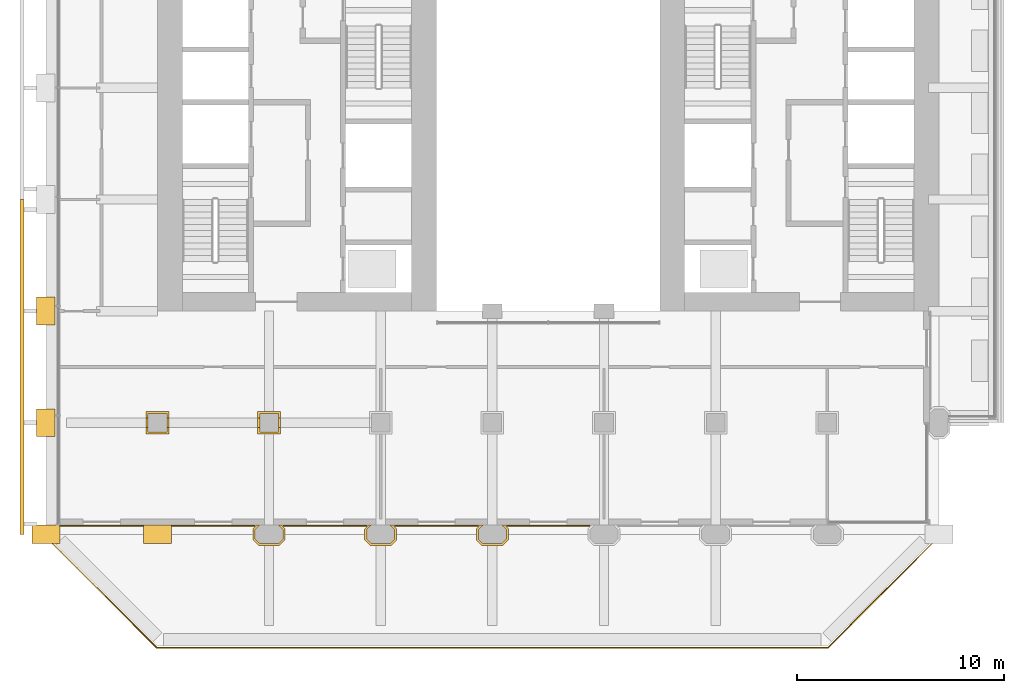
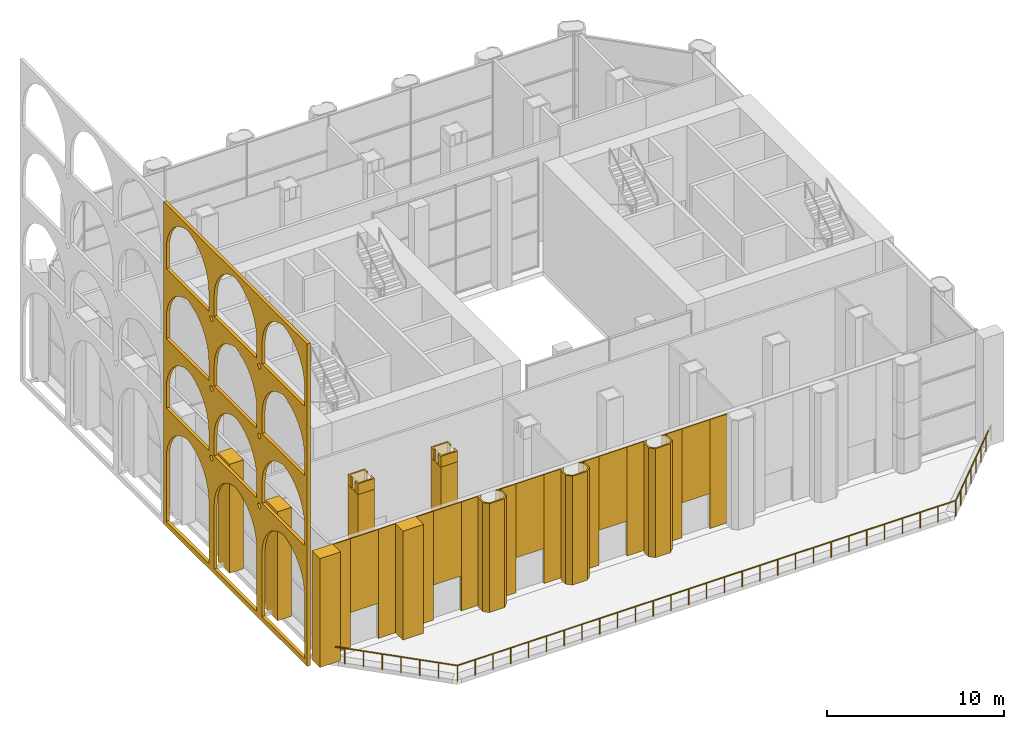
# One storey, part 13 of 20: 29 coverings, 1 railing.
"""IFC4 building model written with IfcOpenShell, lengths in metres."""

from ifc_helpers import new_model, si_unit, direction, frame, frame_2d, origin, origin_2d, place, context, subcontext, project, spatial, polyline, rectangle, circle, outline, extrude, material, layer, layer_set, type_object, element, save


model = new_model("IFC4")

# Units and contexts
model_context = context("Model", 3, precision=1e-05, world=origin(), true_north=direction((0.0, 1.0)))
body_context = subcontext(model_context, "Body", "Model", "MODEL_VIEW")
ifc_project = project(units=[si_unit("LENGTHUNIT", "METRE"), si_unit("AREAUNIT", "SQUARE_METRE"), si_unit("VOLUMEUNIT", "CUBIC_METRE"), si_unit("PLANEANGLEUNIT", "RADIAN"), si_unit("MASSUNIT", "GRAM", prefix="KILO")], contexts=[model_context])

# Site, building, storey
site_placement = place(None, origin())
site = spatial("IfcSite", under=ifc_project, at=site_placement, CompositionType="ELEMENT")
building_placement = place(site_placement, origin())
building = spatial("IfcBuilding", under=site, at=building_placement, Name="Tabaq Tower and Sports Hall", CompositionType="ELEMENT")
storey_placement = place(building_placement, frame((0.0, 0.0, 130.60009765625)))
storey = spatial("IfcBuildingStorey", under=building, at=storey_placement, Name="L31", CompositionType="ELEMENT", Elevation=130.60009765625)

# Coverings
ifc_material_1 = material(Name="Precast concrete C60/75", Category="concrete")
ifc_layer_1 = layer(ifc_material_1, 0.10009765625)
ifc_layer_set_1 = layer_set([ifc_layer_1], Name="Column cladding 100")
covering_type_1 = type_object("IfcCoveringType", Name="Column cladding 100", PredefinedType="CLADDING", material=ifc_layer_set_1)
covering_1_placement = place(storey_placement, origin())
element("IfcCovering", 1, at=covering_1_placement, inside=storey, type_object=covering_type_1, Name="Column cladding L31 CC-2C-S1", PredefinedType="CLADDING", context=body_context, shape_type="SweptSolid", body=[
    extrude(outline(polyline([(4.850341796875, 11.349609375), (5.94970703125, 11.349609375), (5.94970703125, 10.250244140625), (4.850341796875, 10.250244140625), (4.850341796875, 11.349609375)]), holes=[polyline([(5.850341796875, 10.349609375), (5.850341796875, 11.250244140625), (4.94970703125, 11.250244140625), (4.94970703125, 10.349609375), (5.850341796875, 10.349609375)])]), origin(), (0.0, 0.0, 1.0), 6.75),
])
covering_2_placement = place(storey_placement, frame((0.0, 0.0, 6.75)))
element("IfcCovering", 2, at=covering_2_placement, inside=storey, type_object=covering_type_1, Name="Column cladding L31 CC-2C-S1 head", PredefinedType="CLADDING", context=body_context, shape_type="SweptSolid", body=[
    extrude(outline(polyline([(5.94970703125, 10.250244140625), (4.850341796875, 10.250244140625), (4.850341796875, 10.57470703125), (4.94970703125, 10.57470703125), (4.94970703125, 10.349609375), (5.850341796875, 10.349609375), (5.850341796875, 10.57470703125), (5.94970703125, 10.57470703125), (5.94970703125, 10.250244140625)])), origin(), (0.0, 0.0, 1.0), 0.75),
])
covering_3_placement = place(storey_placement, frame((0.0, 0.0, 6.75)))
element("IfcCovering", 3, at=covering_3_placement, inside=storey, type_object=covering_type_1, Name="Column cladding L31 CC-2C-S1 head 2", PredefinedType="CLADDING", context=body_context, shape_type="SweptSolid", body=[
    extrude(outline(polyline([(5.94970703125, 11.349609375), (5.94970703125, 11.025390625), (5.850341796875, 11.025390625), (5.850341796875, 11.250244140625), (4.94970703125, 11.250244140625), (4.94970703125, 11.025390625), (4.850341796875, 11.025390625), (4.850341796875, 11.349609375), (5.94970703125, 11.349609375)])), origin(), (0.0, 0.0, 1.0), 0.75),
])
covering_4_placement = place(storey_placement, origin())
element("IfcCovering", 4, at=covering_4_placement, inside=storey, type_object=covering_type_1, Name="Column cladding L31 PC-3B-S1", PredefinedType="CLADDING", context=body_context, shape_type="SweptSolid", body=[
    extrude(outline(polyline([(10.025390625, 5.666259765625), (10.208740234375, 5.849609375), (10.349365234375, 5.849609375), (10.124755859375, 5.625244140625), (10.124755859375, 5.1748046875), (10.349853515625, 4.94970703125), (11.250244140625, 4.94970703125), (11.475341796875, 5.1748046875), (11.475341796875, 5.625244140625), (11.250732421875, 5.849609375), (11.391357421875, 5.849609375), (11.57470703125, 5.666259765625), (11.57470703125, 5.1337890625), (11.291259765625, 4.850341796875), (10.30859375, 4.850341796875), (10.025390625, 5.1337890625), (10.025390625, 5.666259765625)])), origin(), (0.0, 0.0, 1.0), 7.5),
])
covering_5_placement = place(storey_placement, origin())
element("IfcCovering", 5, at=covering_5_placement, inside=storey, type_object=covering_type_1, Name="Column cladding L31 CC-3C-S1", PredefinedType="CLADDING", context=body_context, shape_type="SweptSolid", body=[
    extrude(outline(polyline([(10.250244140625, 11.349609375), (11.349609375, 11.349609375), (11.349609375, 10.250244140625), (10.250244140625, 10.250244140625), (10.250244140625, 11.349609375)]), holes=[polyline([(11.250244140625, 10.349609375), (11.250244140625, 11.250244140625), (10.349609375, 11.250244140625), (10.349609375, 10.349609375), (11.250244140625, 10.349609375)])]), origin(), (0.0, 0.0, 1.0), 6.75),
])
covering_6_placement = place(storey_placement, frame((0.0, 0.0, 6.75)))
element("IfcCovering", 6, at=covering_6_placement, inside=storey, type_object=covering_type_1, Name="Column cladding L31 CC-3C-S1 head", PredefinedType="CLADDING", context=body_context, shape_type="SweptSolid", body=[
    extrude(outline(polyline([(10.349365234375, 10.574462890625), (10.349365234375, 10.349365234375), (11.25048828125, 10.349365234375), (11.25048828125, 10.574462890625), (11.349365234375, 10.574462890625), (11.349365234375, 10.25048828125), (10.25048828125, 10.25048828125), (10.25048828125, 10.574462890625), (10.349365234375, 10.574462890625)])), origin(), (0.0, 0.0, 1.0), 0.75),
])
covering_7_placement = place(storey_placement, frame((0.0, 0.0, 6.75)))
element("IfcCovering", 7, at=covering_7_placement, inside=storey, type_object=covering_type_1, Name="Column cladding L31 CC-3C-S1 head 2", PredefinedType="CLADDING", context=body_context, shape_type="SweptSolid", body=[
    extrude(outline(polyline([(10.349365234375, 11.025634765625), (10.25048828125, 11.025634765625), (10.25048828125, 11.349365234375), (11.349365234375, 11.349365234375), (11.349365234375, 11.025634765625), (11.25048828125, 11.025634765625), (11.25048828125, 11.25048828125), (10.349365234375, 11.25048828125), (10.349365234375, 11.025634765625)])), origin(), (0.0, 0.0, 1.0), 0.75),
])
covering_8_placement = place(storey_placement, origin())
element("IfcCovering", 8, at=covering_8_placement, inside=storey, type_object=covering_type_1, Name="Column cladding L31 PC-4B-S1", PredefinedType="CLADDING", context=body_context, shape_type="SweptSolid", body=[
    extrude(outline(polyline([(15.42529296875, 5.666259765625), (15.608642578125, 5.849609375), (15.749267578125, 5.849609375), (15.524658203125, 5.625244140625), (15.524658203125, 5.1748046875), (15.749755859375, 4.94970703125), (16.650146484375, 4.94970703125), (16.875244140625, 5.1748046875), (16.875244140625, 5.625244140625), (16.650634765625, 5.849609375), (16.791259765625, 5.849609375), (16.974609375, 5.666259765625), (16.974609375, 5.1337890625), (16.69140625, 4.850341796875), (15.708740234375, 4.850341796875), (15.42529296875, 5.1337890625), (15.42529296875, 5.666259765625)])), origin(), (0.0, 0.0, 1.0), 7.5),
])
covering_9_placement = place(storey_placement, origin())
element("IfcCovering", 9, at=covering_9_placement, inside=storey, type_object=covering_type_1, Name="Column cladding L31 PC-5B-S1", PredefinedType="CLADDING", context=body_context, shape_type="SweptSolid", body=[
    extrude(outline(polyline([(20.8251953125, 5.666259765625), (21.0087890625, 5.849609375), (21.149169921875, 5.849609375), (20.9248046875, 5.625244140625), (20.9248046875, 5.1748046875), (21.14990234375, 4.94970703125), (22.050048828125, 4.94970703125), (22.275390625, 5.1748046875), (22.275390625, 5.625244140625), (22.05078125, 5.849609375), (22.19140625, 5.849609375), (22.374755859375, 5.666259765625), (22.374755859375, 5.1337890625), (22.09130859375, 4.850341796875), (21.108642578125, 4.850341796875), (20.8251953125, 5.1337890625), (20.8251953125, 5.666259765625)])), origin(), (0.0, 0.0, 1.0), 7.5),
])

# Railing
ifc_material_2 = material(Name="Stainless steel S316 and laminated glass", Category="steel")
railing_type = type_object("IfcRailingType", Name="Guard 1100 steel and glass", PredefinedType="GUARDRAIL", material=ifc_material_2)
railing_placement = place(storey_placement, frame((43.256591796875, 5.343505859375, 0.0)))
element("IfcRailing", 10, at=railing_placement, inside=storey, type_object=railing_type, Name="Terrace guard L31", PredefinedType="GUARDRAIL", context=body_context, shape_type="SweptSolid", body=[
    extrude(circle(Radius=0.02490234375, at=origin_2d()), frame((0.0, 0.0, 1.0751953125), z_axis=(-0.707090865574, -0.707122696441, 0.0), x_axis=(0.707122696441, -0.707090865574, 0.0)), (0.0, 0.0, 1.0), 7.669921875),
    extrude(circle(Radius=0.02490234375, at=origin_2d()), frame((-5.42333984375, -5.423583984375, 1.0751953125), z_axis=(-1.0, 0.0, 0.0), x_axis=(0.0, -1.0, 0.0)), (0.0, 0.0, 1.0), 32.46630859375),
    extrude(circle(Radius=0.02490234375, at=origin_2d()), frame((-37.8896484375, -5.423583984375, 1.0751953125), z_axis=(-0.707106781187, 0.707106781187, 0.0), x_axis=(-0.707106781187, -0.707106781187, 0.0)), (0.0, 0.0, 1.0), 7.670166015625),
    extrude(circle(Radius=0.02001953125, at=origin_2d()), origin(), (0.0, 0.0, 1.0), 1.050048828125),
    extrude(circle(Radius=0.02001953125, at=origin_2d()), frame((-0.774658203125, -0.77490234375, 0.0)), (0.0, 0.0, 1.0), 1.050048828125),
    extrude(circle(Radius=0.02001953125, at=origin_2d()), frame((-1.549560546875, -1.549560546875, 0.0)), (0.0, 0.0, 1.0), 1.050048828125),
    extrude(circle(Radius=0.02001953125, at=origin_2d()), frame((-2.32421875, -2.324462890625, 0.0)), (0.0, 0.0, 1.0), 1.050048828125),
    extrude(circle(Radius=0.02001953125, at=origin_2d()), frame((-3.09912109375, -3.09912109375, 0.0)), (0.0, 0.0, 1.0), 1.050048828125),
    extrude(circle(Radius=0.02001953125, at=origin_2d()), frame((-3.873779296875, -3.8740234375, 0.0)), (0.0, 0.0, 1.0), 1.050048828125),
    extrude(circle(Radius=0.02001953125, at=origin_2d()), frame((-4.648681640625, -4.648681640625, 0.0)), (0.0, 0.0, 1.0), 1.050048828125),
    extrude(circle(Radius=0.02001953125, at=origin_2d()), frame((-5.42333984375, -5.423583984375, 0.0)), (0.0, 0.0, 1.0), 1.050048828125),
    extrude(circle(Radius=0.02001953125, at=origin_2d()), frame((-6.582763671875, -5.423583984375, 0.0)), (0.0, 0.0, 1.0), 1.050048828125),
    extrude(circle(Radius=0.02001953125, at=origin_2d()), frame((-7.742431640625, -5.423583984375, 0.0)), (0.0, 0.0, 1.0), 1.050048828125),
    extrude(circle(Radius=0.02001953125, at=origin_2d()), frame((-8.90185546875, -5.423583984375, 0.0)), (0.0, 0.0, 1.0), 1.050048828125),
    extrude(circle(Radius=0.02001953125, at=origin_2d()), frame((-10.061279296875, -5.423583984375, 0.0)), (0.0, 0.0, 1.0), 1.050048828125),
    extrude(circle(Radius=0.02001953125, at=origin_2d()), frame((-11.220947265625, -5.423583984375, 0.0)), (0.0, 0.0, 1.0), 1.050048828125),
    extrude(circle(Radius=0.02001953125, at=origin_2d()), frame((-12.38037109375, -5.423583984375, 0.0)), (0.0, 0.0, 1.0), 1.050048828125),
    extrude(circle(Radius=0.02001953125, at=origin_2d()), frame((-13.5400390625, -5.423583984375, 0.0)), (0.0, 0.0, 1.0), 1.050048828125),
    extrude(circle(Radius=0.02001953125, at=origin_2d()), frame((-14.699462890625, -5.423583984375, 0.0)), (0.0, 0.0, 1.0), 1.050048828125),
    extrude(circle(Radius=0.02001953125, at=origin_2d()), frame((-15.85888671875, -5.423583984375, 0.0)), (0.0, 0.0, 1.0), 1.050048828125),
    extrude(circle(Radius=0.02001953125, at=origin_2d()), frame((-17.0185546875, -5.423583984375, 0.0)), (0.0, 0.0, 1.0), 1.050048828125),
    extrude(circle(Radius=0.02001953125, at=origin_2d()), frame((-18.177978515625, -5.423583984375, 0.0)), (0.0, 0.0, 1.0), 1.050048828125),
    extrude(circle(Radius=0.02001953125, at=origin_2d()), frame((-19.33740234375, -5.423583984375, 0.0)), (0.0, 0.0, 1.0), 1.050048828125),
    extrude(circle(Radius=0.02001953125, at=origin_2d()), frame((-20.4970703125, -5.423583984375, 0.0)), (0.0, 0.0, 1.0), 1.050048828125),
    extrude(circle(Radius=0.02001953125, at=origin_2d()), frame((-21.656494140625, -5.423583984375, 0.0)), (0.0, 0.0, 1.0), 1.050048828125),
    extrude(circle(Radius=0.02001953125, at=origin_2d()), frame((-22.81591796875, -5.423583984375, 0.0)), (0.0, 0.0, 1.0), 1.050048828125),
    extrude(circle(Radius=0.02001953125, at=origin_2d()), frame((-23.9755859375, -5.423583984375, 0.0)), (0.0, 0.0, 1.0), 1.050048828125),
    extrude(circle(Radius=0.02001953125, at=origin_2d()), frame((-25.135009765625, -5.423583984375, 0.0)), (0.0, 0.0, 1.0), 1.050048828125),
    extrude(circle(Radius=0.02001953125, at=origin_2d()), frame((-26.29443359375, -5.423583984375, 0.0)), (0.0, 0.0, 1.0), 1.050048828125),
    extrude(circle(Radius=0.02001953125, at=origin_2d()), frame((-27.4541015625, -5.423583984375, 0.0)), (0.0, 0.0, 1.0), 1.050048828125),
    extrude(circle(Radius=0.02001953125, at=origin_2d()), frame((-28.613525390625, -5.423583984375, 0.0)), (0.0, 0.0, 1.0), 1.050048828125),
    extrude(circle(Radius=0.02001953125, at=origin_2d()), frame((-29.77294921875, -5.423583984375, 0.0)), (0.0, 0.0, 1.0), 1.050048828125),
    extrude(circle(Radius=0.02001953125, at=origin_2d()), frame((-30.9326171875, -5.423583984375, 0.0)), (0.0, 0.0, 1.0), 1.050048828125),
    extrude(circle(Radius=0.02001953125, at=origin_2d()), frame((-32.092041015625, -5.423583984375, 0.0)), (0.0, 0.0, 1.0), 1.050048828125),
    extrude(circle(Radius=0.02001953125, at=origin_2d()), frame((-33.251708984375, -5.423583984375, 0.0)), (0.0, 0.0, 1.0), 1.050048828125),
    extrude(circle(Radius=0.02001953125, at=origin_2d()), frame((-34.4111328125, -5.423583984375, 0.0)), (0.0, 0.0, 1.0), 1.050048828125),
    extrude(circle(Radius=0.02001953125, at=origin_2d()), frame((-35.570556640625, -5.423583984375, 0.0)), (0.0, 0.0, 1.0), 1.050048828125),
    extrude(circle(Radius=0.02001953125, at=origin_2d()), frame((-36.730224609375, -5.423583984375, 0.0)), (0.0, 0.0, 1.0), 1.050048828125),
    extrude(circle(Radius=0.02001953125, at=origin_2d()), frame((-37.8896484375, -5.423583984375, 0.0)), (0.0, 0.0, 1.0), 1.050048828125),
    extrude(circle(Radius=0.02001953125, at=origin_2d()), frame((-38.66455078125, -4.648681640625, 0.0)), (0.0, 0.0, 1.0), 1.050048828125),
    extrude(circle(Radius=0.02001953125, at=origin_2d()), frame((-39.439208984375, -3.8740234375, 0.0)), (0.0, 0.0, 1.0), 1.050048828125),
    extrude(circle(Radius=0.02001953125, at=origin_2d()), frame((-40.214111328125, -3.09912109375, 0.0)), (0.0, 0.0, 1.0), 1.050048828125),
    extrude(circle(Radius=0.02001953125, at=origin_2d()), frame((-40.98876953125, -2.324462890625, 0.0)), (0.0, 0.0, 1.0), 1.050048828125),
    extrude(circle(Radius=0.02001953125, at=origin_2d()), frame((-41.763671875, -1.549560546875, 0.0)), (0.0, 0.0, 1.0), 1.050048828125),
    extrude(circle(Radius=0.02001953125, at=origin_2d()), frame((-42.538330078125, -0.77490234375, 0.0)), (0.0, 0.0, 1.0), 1.050048828125),
    extrude(circle(Radius=0.02001953125, at=origin_2d()), frame((-43.313232421875, 0.0, 0.0)), (0.0, 0.0, 1.0), 1.050048828125),
])

# Coverings
ifc_material_3 = material(Name="White precast concrete C60/75", Category="concrete")
covering_type_2 = type_object("IfcCoveringType", Name="Pier cladding hung 1350x900", PredefinedType="CLADDING", material=ifc_material_3)
for number, where, z_axis, x_axis, name in (
    (11, (-0.675048828125, 5.39990234375, 0.0), (0.0, 0.0, 1.0), (1.0, 0.0, 0.0), "Hung pier cladding 0/1"),
    (12, (0.0, 11.47509765625, 0.0), (0.0, 0.0, 1.0), (0.0, -1.0, 0.0), "Hung pier cladding 0/2"),
    (13, (0.0, 16.875, 0.0), (0.0, 0.0, 1.0), (0.0, -1.0, 0.0), "Hung pier cladding 0/3"),
):
    element("IfcCovering", number, at=place(storey_placement, frame(where, z_axis=z_axis, x_axis=x_axis)), inside=storey, type_object=covering_type_2, Name=name, PredefinedType="CLADDING", context=body_context, shape_type="SweptSolid", body=[
        extrude(rectangle(XDim=1.35009765625, YDim=0.89990234375, at=frame_2d((0.675048828125, 0.0))), origin(), (0.0, 0.0, 1.0), 7.5),
    ])
covering_10_placement = place(storey_placement, frame((4.72509765625, 5.39990234375, 0.0), z_axis=(0.0, 0.0, 1.0), x_axis=(1.0, 0.0, 0.0)))
element("IfcCovering", 14, at=covering_10_placement, inside=storey, type_object=covering_type_2, Name="Hung pier cladding 1/1", PredefinedType="CLADDING", context=body_context, shape_type="SweptSolid", body=[
    extrude(rectangle(XDim=1.349853515625, YDim=0.89990234375, at=frame_2d((0.6748046875, 0.0))), origin(), (0.0, 0.0, 1.0), 7.5),
])
ifc_material_4 = material(Name="White precast concrete C60/75 pierced screen", Category="concrete")
ifc_layer_2 = layer(ifc_material_4, 0.199951171875)
ifc_layer_set_2 = layer_set([ifc_layer_2], Name="TRACERY SCREEN 200 C60/75")
covering_type_3 = type_object("IfcCoveringType", Name="TRACERY SCREEN 200 C60/75", PredefinedType="CLADDING", material=ifc_layer_set_2)
covering_11_placement = place(storey_placement, frame((-1.14990234375, 21.60009765625, 0.0), z_axis=(0.0, 0.0, 1.0), x_axis=(0.0, -1.0, 0.0)))
element("IfcCovering", 15, at=covering_11_placement, inside=storey, type_object=covering_type_3, Name="Tracery screen S1 W L31-L34", PredefinedType="CLADDING", context=body_context, shape_type="SweptSolid", body=[
    extrude(outline(polyline([(0.0, 0.0), (16.2001953125, 0.0), (16.2001953125, 22.199951171875), (0.0, 22.199951171875), (0.0, 0.0)]), holes=[polyline([(0.300048828125, 0.349853515625), (5.10009765625, 0.349853515625), (5.10009765625, 4.68994140625), (5.055419921875, 5.18603515625), (4.92333984375, 5.666015625), (4.7080078125, 6.115234375), (4.416015625, 6.5185546875), (4.05712890625, 6.86376953125), (3.642333984375, 7.139404296875), (3.18505859375, 7.3369140625), (2.699951171875, 7.449951171875), (2.21484375, 7.3369140625), (1.7578125, 7.139404296875), (1.343017578125, 6.86376953125), (0.98388671875, 6.5185546875), (0.69189453125, 6.115234375), (0.4765625, 5.666015625), (0.344482421875, 5.18603515625), (0.300048828125, 4.68994140625), (0.300048828125, 0.349853515625)]), polyline([(5.699951171875, 0.349853515625), (10.5, 0.349853515625), (10.5, 4.68994140625), (10.45556640625, 5.18603515625), (10.323486328125, 5.666015625), (10.10791015625, 6.115234375), (9.816162109375, 6.5185546875), (9.45703125, 6.86376953125), (9.042236328125, 7.139404296875), (8.5849609375, 7.3369140625), (8.10009765625, 7.449951171875), (7.614990234375, 7.3369140625), (7.15771484375, 7.139404296875), (6.742919921875, 6.86376953125), (6.384033203125, 6.5185546875), (6.092041015625, 6.115234375), (5.87646484375, 5.666015625), (5.744384765625, 5.18603515625), (5.699951171875, 4.68994140625), (5.699951171875, 0.349853515625)]), polyline([(11.10009765625, 0.349853515625), (15.89990234375, 0.349853515625), (15.89990234375, 4.68994140625), (15.85546875, 5.18603515625), (15.723388671875, 5.666015625), (15.508056640625, 6.115234375), (15.216064453125, 6.5185546875), (14.85693359375, 6.86376953125), (14.442138671875, 7.139404296875), (13.985107421875, 7.3369140625), (13.5, 7.449951171875), (13.014892578125, 7.3369140625), (12.557861328125, 7.139404296875), (12.14306640625, 6.86376953125), (11.783935546875, 6.5185546875), (11.491943359375, 6.115234375), (11.276611328125, 5.666015625), (11.14453125, 5.18603515625), (11.10009765625, 4.68994140625), (11.10009765625, 0.349853515625)]), polyline([(0.300048828125, 8.14990234375), (5.10009765625, 8.14990234375), (5.10009765625, 9.489990234375), (5.055419921875, 9.98583984375), (4.92333984375, 10.466064453125), (4.7080078125, 10.9150390625), (4.416015625, 11.318603515625), (4.05712890625, 11.663818359375), (3.642333984375, 11.939453125), (3.18505859375, 12.136962890625), (2.699951171875, 12.25), (2.21484375, 12.136962890625), (1.7578125, 11.939453125), (1.343017578125, 11.663818359375), (0.98388671875, 11.318603515625), (0.69189453125, 10.9150390625), (0.4765625, 10.466064453125), (0.344482421875, 9.98583984375), (0.300048828125, 9.489990234375), (0.300048828125, 8.14990234375)]), polyline([(5.699951171875, 8.14990234375), (10.5, 8.14990234375), (10.5, 9.489990234375), (10.45556640625, 9.98583984375), (10.323486328125, 10.466064453125), (10.10791015625, 10.9150390625), (9.816162109375, 11.318603515625), (9.45703125, 11.663818359375), (9.042236328125, 11.939453125), (8.5849609375, 12.136962890625), (8.10009765625, 12.25), (7.614990234375, 12.136962890625), (7.15771484375, 11.939453125), (6.742919921875, 11.663818359375), (6.384033203125, 11.318603515625), (6.092041015625, 10.9150390625), (5.87646484375, 10.466064453125), (5.744384765625, 9.98583984375), (5.699951171875, 9.489990234375), (5.699951171875, 8.14990234375)]), polyline([(11.10009765625, 8.14990234375), (15.89990234375, 8.14990234375), (15.89990234375, 9.489990234375), (15.85546875, 9.98583984375), (15.723388671875, 10.466064453125), (15.508056640625, 10.9150390625), (15.216064453125, 11.318603515625), (14.85693359375, 11.663818359375), (14.442138671875, 11.939453125), (13.985107421875, 12.136962890625), (13.5, 12.25), (13.014892578125, 12.136962890625), (12.557861328125, 11.939453125), (12.14306640625, 11.663818359375), (11.783935546875, 11.318603515625), (11.491943359375, 10.9150390625), (11.276611328125, 10.466064453125), (11.14453125, 9.98583984375), (11.10009765625, 9.489990234375), (11.10009765625, 8.14990234375)]), polyline([(0.300048828125, 12.949951171875), (5.10009765625, 12.949951171875), (5.10009765625, 14.289794921875), (5.055419921875, 14.785888671875), (4.92333984375, 15.26611328125), (4.7080078125, 15.715087890625), (4.416015625, 16.11865234375), (4.05712890625, 16.4638671875), (3.642333984375, 16.739501953125), (3.18505859375, 16.93701171875), (2.699951171875, 17.0498046875), (2.21484375, 16.93701171875), (1.7578125, 16.739501953125), (1.343017578125, 16.4638671875), (0.98388671875, 16.11865234375), (0.69189453125, 15.715087890625), (0.4765625, 15.26611328125), (0.344482421875, 14.785888671875), (0.300048828125, 14.289794921875), (0.300048828125, 12.949951171875)]), polyline([(5.699951171875, 12.949951171875), (10.5, 12.949951171875), (10.5, 14.289794921875), (10.45556640625, 14.785888671875), (10.323486328125, 15.26611328125), (10.10791015625, 15.715087890625), (9.816162109375, 16.11865234375), (9.45703125, 16.4638671875), (9.042236328125, 16.739501953125), (8.5849609375, 16.93701171875), (8.10009765625, 17.0498046875), (7.614990234375, 16.93701171875), (7.15771484375, 16.739501953125), (6.742919921875, 16.4638671875), (6.384033203125, 16.11865234375), (6.092041015625, 15.715087890625), (5.87646484375, 15.26611328125), (5.744384765625, 14.785888671875), (5.699951171875, 14.289794921875), (5.699951171875, 12.949951171875)]), polyline([(11.10009765625, 12.949951171875), (15.89990234375, 12.949951171875), (15.89990234375, 14.289794921875), (15.85546875, 14.785888671875), (15.723388671875, 15.26611328125), (15.508056640625, 15.715087890625), (15.216064453125, 16.11865234375), (14.85693359375, 16.4638671875), (14.442138671875, 16.739501953125), (13.985107421875, 16.93701171875), (13.5, 17.0498046875), (13.014892578125, 16.93701171875), (12.557861328125, 16.739501953125), (12.14306640625, 16.4638671875), (11.783935546875, 16.11865234375), (11.491943359375, 15.715087890625), (11.276611328125, 15.26611328125), (11.14453125, 14.785888671875), (11.10009765625, 14.289794921875), (11.10009765625, 12.949951171875)]), polyline([(0.300048828125, 17.75), (5.10009765625, 17.75), (5.10009765625, 19.08984375), (5.055419921875, 19.5859375), (4.92333984375, 20.066162109375), (4.7080078125, 20.51513671875), (4.416015625, 20.918701171875), (4.05712890625, 21.263671875), (3.642333984375, 21.53955078125), (3.18505859375, 21.737060546875), (2.699951171875, 21.849853515625), (2.21484375, 21.737060546875), (1.7578125, 21.53955078125), (1.343017578125, 21.263671875), (0.98388671875, 20.918701171875), (0.69189453125, 20.51513671875), (0.4765625, 20.066162109375), (0.344482421875, 19.5859375), (0.300048828125, 19.08984375), (0.300048828125, 17.75)]), polyline([(5.699951171875, 17.75), (10.5, 17.75), (10.5, 19.08984375), (10.45556640625, 19.5859375), (10.323486328125, 20.066162109375), (10.10791015625, 20.51513671875), (9.816162109375, 20.918701171875), (9.45703125, 21.263671875), (9.042236328125, 21.53955078125), (8.5849609375, 21.737060546875), (8.10009765625, 21.849853515625), (7.614990234375, 21.737060546875), (7.15771484375, 21.53955078125), (6.742919921875, 21.263671875), (6.384033203125, 20.918701171875), (6.092041015625, 20.51513671875), (5.87646484375, 20.066162109375), (5.744384765625, 19.5859375), (5.699951171875, 19.08984375), (5.699951171875, 17.75)]), polyline([(11.10009765625, 17.75), (15.89990234375, 17.75), (15.89990234375, 19.08984375), (15.85546875, 19.5859375), (15.723388671875, 20.066162109375), (15.508056640625, 20.51513671875), (15.216064453125, 20.918701171875), (14.85693359375, 21.263671875), (14.442138671875, 21.53955078125), (13.985107421875, 21.737060546875), (13.5, 21.849853515625), (13.014892578125, 21.737060546875), (12.557861328125, 21.53955078125), (12.14306640625, 21.263671875), (11.783935546875, 20.918701171875), (11.491943359375, 20.51513671875), (11.276611328125, 20.066162109375), (11.14453125, 19.5859375), (11.10009765625, 19.08984375), (11.10009765625, 17.75)]), polyline([(5.6201171875, 7.7998046875), (5.39990234375, 8.02001953125), (5.179931640625, 7.7998046875), (5.39990234375, 7.579833984375), (5.6201171875, 7.7998046875)]), polyline([(11.02001953125, 7.7998046875), (10.800048828125, 8.02001953125), (10.580078125, 7.7998046875), (10.800048828125, 7.579833984375), (11.02001953125, 7.7998046875)]), polyline([(5.6201171875, 12.599853515625), (5.39990234375, 12.81982421875), (5.179931640625, 12.599853515625), (5.39990234375, 12.3798828125), (5.6201171875, 12.599853515625)]), polyline([(11.02001953125, 12.599853515625), (10.800048828125, 12.81982421875), (10.580078125, 12.599853515625), (10.800048828125, 12.3798828125), (11.02001953125, 12.599853515625)]), polyline([(5.6201171875, 17.39990234375), (5.39990234375, 17.619873046875), (5.179931640625, 17.39990234375), (5.39990234375, 17.179931640625), (5.6201171875, 17.39990234375)]), polyline([(11.02001953125, 17.39990234375), (10.800048828125, 17.619873046875), (10.580078125, 17.39990234375), (10.800048828125, 17.179931640625), (11.02001953125, 17.39990234375)])]), frame((0.0, 0.10009765625, 0.0), z_axis=(0.0, -1.0, 0.0), x_axis=(1.0, 0.0, 0.0)), (0.0, 0.0, 1.0), 0.199951171875),
])
ifc_material_5 = material(Name="Precast concrete C60/75", Category="concrete")
ifc_layer_3 = layer(ifc_material_5, 0.06005859375)
ifc_layer_set_3 = layer_set([ifc_layer_3], Name="White precast cladding panel 60 C60/75")
covering_type_4 = type_object("IfcCoveringType", Name="White precast cladding panel 60 C60/75", PredefinedType="CLADDING", material=ifc_layer_set_3)
covering_12_placement = place(storey_placement, frame((0.68505859375, 5.820068359375, 0.0), z_axis=(0.0, 0.0, 1.0), x_axis=(1.0, 0.0, 0.0)))
element("IfcCovering", 16, at=covering_12_placement, inside=storey, type_object=covering_type_4, Name="White precast cladding panel L31 infill00-0-0", PredefinedType="CLADDING", context=body_context, shape_type="SweptSolid", body=[
    extrude(rectangle(XDim=1.10498046875, YDim=0.06005859375, at=frame_2d((0.552490234375, 0.0))), origin(), (0.0, 0.0, 1.0), 7.5),
])
covering_13_placement = place(storey_placement, frame((1.7900390625, 5.820068359375, 2.409912109375), z_axis=(0.0, 0.0, 1.0), x_axis=(1.0, 0.0, 0.0)))
element("IfcCovering", 17, at=covering_13_placement, inside=storey, type_object=covering_type_4, Name="White precast cladding panel L31 infill00-0-0 2", PredefinedType="CLADDING", context=body_context, shape_type="SweptSolid", body=[
    extrude(rectangle(XDim=1.820068359375, YDim=0.06005859375, at=frame_2d((0.91015625, 0.0))), origin(), (0.0, 0.0, 1.0), 5.090087890625),
])
for number, where, z_axis, x_axis, name in (
    (18, (3.610107421875, 5.820068359375, 0.0), (0.0, 0.0, 1.0), (1.0, 0.0, 0.0), "White precast cladding panel L31 infill00-0-0 3"),
    (19, (6.0849609375, 5.820068359375, 0.0), (0.0, 0.0, 1.0), (1.0, 0.0, 0.0), "White precast cladding panel L31 infill00-0-0 4"),
):
    element("IfcCovering", number, at=place(storey_placement, frame(where, z_axis=z_axis, x_axis=x_axis)), inside=storey, type_object=covering_type_4, Name=name, PredefinedType="CLADDING", context=body_context, shape_type="SweptSolid", body=[
        extrude(rectangle(XDim=1.10498046875, YDim=0.06005859375, at=frame_2d((0.552490234375, 0.0))), origin(), (0.0, 0.0, 1.0), 7.5),
    ])
covering_14_placement = place(storey_placement, frame((7.18994140625, 5.820068359375, 2.409912109375), z_axis=(0.0, 0.0, 1.0), x_axis=(1.0, 0.0, 0.0)))
element("IfcCovering", 20, at=covering_14_placement, inside=storey, type_object=covering_type_4, Name="White precast cladding panel L31 infill00-0-0 5", PredefinedType="CLADDING", context=body_context, shape_type="SweptSolid", body=[
    extrude(rectangle(XDim=1.820068359375, YDim=0.06005859375, at=frame_2d((0.91015625, 0.0))), origin(), (0.0, 0.0, 1.0), 5.090087890625),
])
for number, where, z_axis, x_axis, name in (
    (21, (9.010009765625, 5.820068359375, 0.0), (0.0, 0.0, 1.0), (1.0, 0.0, 0.0), "White precast cladding panel L31 infill00-0-0 6"),
    (22, (11.485107421875, 5.820068359375, 0.0), (0.0, 0.0, 1.0), (1.0, 0.0, 0.0), "White precast cladding panel L31 infill00-0-0 7"),
):
    element("IfcCovering", number, at=place(storey_placement, frame(where, z_axis=z_axis, x_axis=x_axis)), inside=storey, type_object=covering_type_4, Name=name, PredefinedType="CLADDING", context=body_context, shape_type="SweptSolid", body=[
        extrude(rectangle(XDim=1.10498046875, YDim=0.06005859375, at=frame_2d((0.552490234375, 0.0))), origin(), (0.0, 0.0, 1.0), 7.5),
    ])
covering_15_placement = place(storey_placement, frame((12.590087890625, 5.820068359375, 2.409912109375), z_axis=(0.0, 0.0, 1.0), x_axis=(1.0, 0.0, 0.0)))
element("IfcCovering", 23, at=covering_15_placement, inside=storey, type_object=covering_type_4, Name="White precast cladding panel L31 infill00-0-0 8", PredefinedType="CLADDING", context=body_context, shape_type="SweptSolid", body=[
    extrude(rectangle(XDim=1.81982421875, YDim=0.06005859375, at=frame_2d((0.909912109375, 0.0))), origin(), (0.0, 0.0, 1.0), 5.090087890625),
])
for number, where, z_axis, x_axis, name in (
    (24, (14.409912109375, 5.820068359375, 0.0), (0.0, 0.0, 1.0), (1.0, 0.0, 0.0), "White precast cladding panel L31 infill00-0-0 9"),
    (25, (16.885009765625, 5.820068359375, 0.0), (0.0, 0.0, 1.0), (1.0, 0.0, 0.0), "White precast cladding panel L31 infill00-0-0 10"),
):
    element("IfcCovering", number, at=place(storey_placement, frame(where, z_axis=z_axis, x_axis=x_axis)), inside=storey, type_object=covering_type_4, Name=name, PredefinedType="CLADDING", context=body_context, shape_type="SweptSolid", body=[
        extrude(rectangle(XDim=1.10498046875, YDim=0.06005859375, at=frame_2d((0.552490234375, 0.0))), origin(), (0.0, 0.0, 1.0), 7.5),
    ])
covering_16_placement = place(storey_placement, frame((17.989990234375, 5.820068359375, 2.409912109375), z_axis=(0.0, 0.0, 1.0), x_axis=(1.0, 0.0, 0.0)))
element("IfcCovering", 26, at=covering_16_placement, inside=storey, type_object=covering_type_4, Name="White precast cladding panel L31 infill00-0-0 11", PredefinedType="CLADDING", context=body_context, shape_type="SweptSolid", body=[
    extrude(rectangle(XDim=1.820068359375, YDim=0.06005859375, at=frame_2d((0.91015625, 0.0))), origin(), (0.0, 0.0, 1.0), 5.090087890625),
])
for number, where, z_axis, x_axis, name in (
    (27, (19.81005859375, 5.820068359375, 0.0), (0.0, 0.0, 1.0), (1.0, 0.0, 0.0), "White precast cladding panel L31 infill00-0-0 12"),
    (28, (22.284912109375, 5.820068359375, 0.0), (0.0, 0.0, 1.0), (1.0, 0.0, 0.0), "White precast cladding panel L31 infill00-0-0 13"),
):
    element("IfcCovering", number, at=place(storey_placement, frame(where, z_axis=z_axis, x_axis=x_axis)), inside=storey, type_object=covering_type_4, Name=name, PredefinedType="CLADDING", context=body_context, shape_type="SweptSolid", body=[
        extrude(rectangle(XDim=1.10498046875, YDim=0.06005859375, at=frame_2d((0.552490234375, 0.0))), origin(), (0.0, 0.0, 1.0), 7.5),
    ])
covering_17_placement = place(storey_placement, frame((23.389892578125, 5.820068359375, 2.409912109375), z_axis=(0.0, 0.0, 1.0), x_axis=(1.0, 0.0, 0.0)))
element("IfcCovering", 29, at=covering_17_placement, inside=storey, type_object=covering_type_4, Name="White precast cladding panel L31 infill00-0-0 14", PredefinedType="CLADDING", context=body_context, shape_type="SweptSolid", body=[
    extrude(rectangle(XDim=1.820068359375, YDim=0.06005859375, at=frame_2d((0.91015625, 0.0))), origin(), (0.0, 0.0, 1.0), 5.090087890625),
])
covering_18_placement = place(storey_placement, frame((25.2099609375, 5.820068359375, 0.0), z_axis=(0.0, 0.0, 1.0), x_axis=(1.0, 0.0, 0.0)))
element("IfcCovering", 30, at=covering_18_placement, inside=storey, type_object=covering_type_4, Name="White precast cladding panel L31 infill00-0-0 15", PredefinedType="CLADDING", context=body_context, shape_type="SweptSolid", body=[
    extrude(rectangle(XDim=1.10498046875, YDim=0.06005859375, at=frame_2d((0.552490234375, 0.0))), origin(), (0.0, 0.0, 1.0), 7.5),
])

save(model, "model.ifc")
